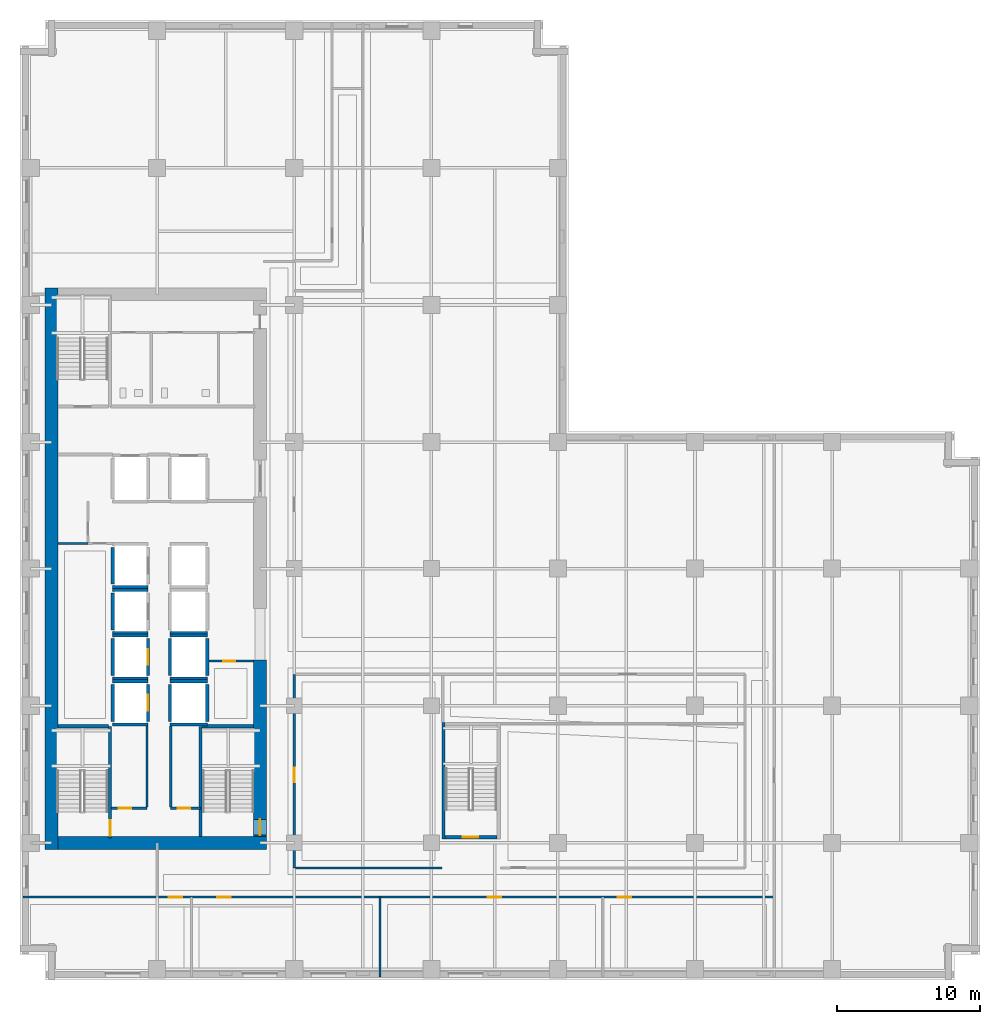
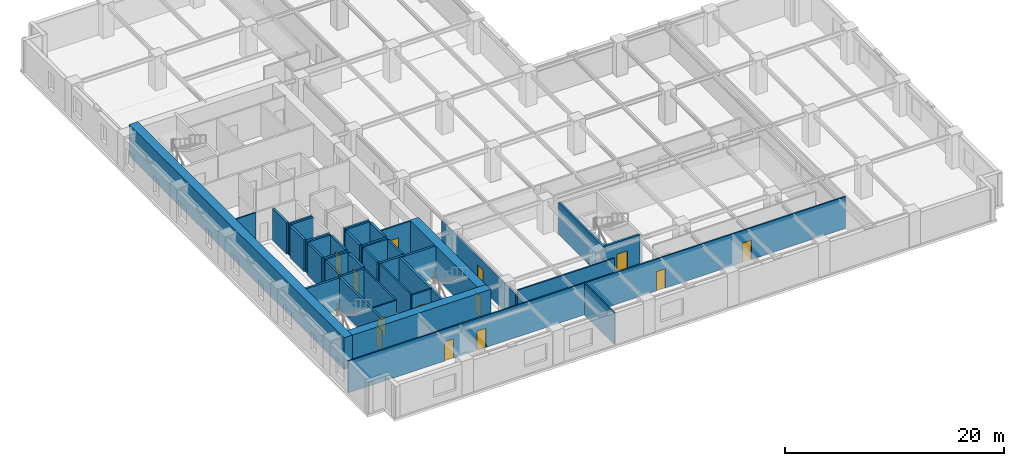
# One storey, part 4 of 13: 41 walls, 13 doors, 13 openings.
"""IFC4 building model written with IfcOpenShell, lengths in metres."""

from ifc_helpers import new_model, si_unit, direction, frame, frame_2d, origin, place, context, subcontext, project, spatial, rectangle, extrude, material, layer, layer_set, type_object, element, fill, save


model = new_model("IFC4")

# Units and contexts
model_context = context("Model", 3, precision=1e-05, world=origin(), true_north=direction((0.0, 1.0)))
body_context = subcontext(model_context, "Body", "Model", "MODEL_VIEW")
ifc_project = project(units=[si_unit("LENGTHUNIT", "METRE"), si_unit("AREAUNIT", "SQUARE_METRE"), si_unit("VOLUMEUNIT", "CUBIC_METRE"), si_unit("PLANEANGLEUNIT", "RADIAN"), si_unit("MASSUNIT", "GRAM", prefix="KILO")], contexts=[model_context])

# Site, building, storey
site_placement = place(None, origin())
site = spatial("IfcSite", under=ifc_project, at=site_placement, CompositionType="ELEMENT")
building_placement = place(site_placement, origin())
building = spatial("IfcBuilding", under=site, at=building_placement, Name="Norrvale University Quadrangle", CompositionType="ELEMENT")
storey_placement = place(building_placement, frame((0.0, 0.0, 35.60009765625)))
storey = spatial("IfcBuildingStorey", under=building, at=storey_placement, Name="L08", CompositionType="ELEMENT", Elevation=35.60009765625)

# Walls
ifc_material_1 = material(Name="Concrete C80/95", Category="concrete")
ifc_layer_1 = layer(ifc_material_1, 0.89990234375, Name="Concrete C80/95")
ifc_layer_set_1 = layer_set([ifc_layer_1], Name="Concrete C80/95")
wall_type_1 = type_object("IfcWallType", Name="Wall Core 900", PredefinedType="SHEAR", material=ifc_layer_set_1)
wall_1_placement = place(storey_placement, frame((2.64990234375, 9.60009765625, 0.0), z_axis=(0.0, 0.0, 1.0), x_axis=(1.0, 0.0, 0.0)))
element("IfcWall", 1, at=wall_1_placement, inside=storey, type_object=wall_type_1, Name="Tower Core Shear Wall L08-S", PredefinedType="SHEAR", context=body_context, shape_type="SweptSolid", body=[
    extrude(rectangle(XDim=14.60009765625, YDim=0.89990234375, at=frame_2d((7.300048828125, 0.0))), origin(), (0.0, 0.0, 1.0), 3.539794921875),
])
wall_2_placement = place(storey_placement, frame((2.199951171875, 9.14990234375, 0.0), z_axis=(0.0, 0.0, 1.0), x_axis=(0.0, 1.0, 0.0)))
element("IfcWall", 2, at=wall_2_placement, inside=storey, type_object=wall_type_1, Name="Tower Core Shear Wall L08-W", PredefinedType="SHEAR", context=body_context, shape_type="SweptSolid", body=[
    extrude(rectangle(XDim=39.300048828125, YDim=0.89990234375, at=frame_2d((19.64990234375, 0.0))), origin(), (0.0, 0.0, 1.0), 3.539794921875),
])

# Wall, opening, door
wall_3_placement = place(storey_placement, frame((16.800048828125, 10.050048828125, 0.0), z_axis=(0.0, 0.0, 1.0), x_axis=(0.0, 1.0, 0.0)))
wall_3 = element("IfcWall", 3, at=wall_3_placement, inside=storey, type_object=wall_type_1, Name="Tower Core Shear Wall L08-E1", PredefinedType="SHEAR", context=body_context, shape_type="SweptSolid", body=[
    extrude(rectangle(XDim=12.349853515625, YDim=0.89990234375, at=frame_2d((6.1748046875, 0.0))), origin(), (0.0, 0.0, 1.0), 3.539794921875),
])
opening_1_placement = place(wall_3_placement, frame((0.090087890625, 0.0, 0.0)))
opening_1 = element("IfcOpeningElement", 4, at=opening_1_placement, cuts=wall_3, Name="Opening D02", PredefinedType="OPENING", context=body_context, shape_type="SweptSolid", body=[
    extrude(rectangle(XDim=1.10009765625, YDim=2.199951171875, at=frame_2d((0.550048828125, 1.10009765625))), frame((0.0, 0.4619140625, 0.0), z_axis=(0.0, -1.0, 0.0), x_axis=(1.0, 0.0, 0.0)), (0.0, 0.0, 1.0), 0.923828125),
])
ifc_material_2 = material(Name="Hollow Steel 350W Fire Door", Category="steel")
door_type_1 = type_object("IfcDoorType", Name="Door Stair Exit 1100x2200", OperationType="NOTDEFINED", PredefinedType="DOOR", material=ifc_material_2)
door_1_placement = place(opening_1_placement, origin())
door_1 = element("IfcDoor", 5, at=door_1_placement, inside=storey, type_object=door_type_1, Name="Door Stair Exit 1100x2200 DR-L08-ST03", OperationType="SINGLE_SWING_LEFT", OverallHeight=2.199951171875, OverallWidth=1.10009765625, PredefinedType="DOOR", context=body_context, shape_type="SweptSolid", body=[
    extrude(rectangle(XDim=1.10009765625, YDim=2.199951171875, at=frame_2d((0.550048828125, 1.10009765625))), frame((0.0, 0.02490234375, 0.0), z_axis=(0.0, -1.0, 0.0), x_axis=(1.0, 0.0, 0.0)), (0.0, 0.0, 1.0), 0.050048828125),
])
fill(opening_1, door_1)

# Wall
ifc_material_3 = material(Name="Standard Academic Gypsum Partition")
ifc_layer_2 = layer(ifc_material_3, 0.125, Name="Standard Academic Gypsum Partition")
ifc_layer_set_2 = layer_set([ifc_layer_2], Name="Standard Academic Gypsum Partition")
wall_type_2 = type_object("IfcWallType", Name="Wall Gypsum Academic 125", PredefinedType="PARTITIONING", material=ifc_layer_set_2)
wall_4_placement = place(storey_placement, frame((25.199951171875, 0.219970703125, 0.0), z_axis=(0.0, 0.0, 1.0), x_axis=(0.0, 1.0, 0.0)))
element("IfcWall", 6, at=wall_4_placement, inside=storey, type_object=wall_type_2, Name="Interior Partition WL-L08-SP02", PredefinedType="PARTITIONING", context=body_context, shape_type="SweptSolid", body=[
    extrude(rectangle(XDim=5.580078125, YDim=0.125, at=frame_2d((2.7900390625, 0.0))), origin(), (0.0, 0.0, 1.0), 3.539794921875),
])

# Wall, opening, door
ifc_material_4 = material(Name="Fire-Rated Gypsum Stud Partition")
ifc_layer_3 = layer(ifc_material_4, 0.14990234375, Name="Fire-Rated Gypsum Stud Partition")
ifc_layer_set_3 = layer_set([ifc_layer_3], Name="Fire-Rated Gypsum Stud Partition")
wall_type_3 = type_object("IfcWallType", Name="Wall Gypsum Corridor 150", PredefinedType="PARTITIONING", material=ifc_layer_set_3)
wall_5_placement = place(storey_placement, frame((6.419921875, 12.02001953125, 0.0), z_axis=(0.0, 0.0, 1.0), x_axis=(1.0, 0.0, 0.0)))
wall_5 = element("IfcWall", 7, at=wall_5_placement, inside=storey, type_object=wall_type_3, Name="Interior Partition WL-L08-SC-NL", PredefinedType="PARTITIONING", context=body_context, shape_type="SweptSolid", body=[
    extrude(rectangle(XDim=2.47998046875, YDim=0.14990234375, at=frame_2d((1.239990234375, 0.0))), origin(), (0.0, 0.0, 1.0), 3.539794921875),
])
opening_2_placement = place(wall_5_placement, frame((0.5, 0.0, 0.0)))
opening_2 = element("IfcOpeningElement", 8, at=opening_2_placement, cuts=wall_5, Name="Opening D10", PredefinedType="OPENING", context=body_context, shape_type="SweptSolid", body=[
    extrude(rectangle(XDim=0.85009765625, YDim=2.10009765625, at=frame_2d((0.425048828125, 1.050048828125))), frame((0.0, 0.0869140625, 0.0), z_axis=(0.0, -1.0, 0.0), x_axis=(1.0, 0.0, 0.0)), (0.0, 0.0, 1.0), 0.173828125),
])
ifc_material_5 = material(Name="Hollow Steel 350W Riser Fire Door", Category="steel")
door_type_2 = type_object("IfcDoorType", Name="Door Riser 850x2100", OperationType="NOTDEFINED", PredefinedType="DOOR", material=ifc_material_5)
door_2_placement = place(opening_2_placement, origin())
door_2 = element("IfcDoor", 9, at=door_2_placement, inside=storey, type_object=door_type_2, Name="Door Riser 850x2100 DR-L08-ELEC", OperationType="SINGLE_SWING_LEFT", OverallHeight=2.10009765625, OverallWidth=0.85009765625, PredefinedType="DOOR", context=body_context, shape_type="SweptSolid", body=[
    extrude(rectangle(XDim=0.85009765625, YDim=2.10009765625, at=frame_2d((0.425048828125, 1.050048828125))), frame((0.0, 0.02490234375, 0.0), z_axis=(0.0, -1.0, 0.0), x_axis=(1.0, 0.0, 0.0)), (0.0, 0.0, 1.0), 0.050048828125),
])
fill(opening_2, door_2)

wall_6_placement = place(storey_placement, frame((10.550048828125, 12.02001953125, 0.0), z_axis=(0.0, 0.0, 1.0), x_axis=(1.0, 0.0, 0.0)))
wall_6 = element("IfcWall", 10, at=wall_6_placement, inside=storey, type_object=wall_type_3, Name="Interior Partition WL-L08-SC-NR", PredefinedType="PARTITIONING", context=body_context, shape_type="SweptSolid", body=[
    extrude(rectangle(XDim=2.079833984375, YDim=0.14990234375, at=frame_2d((1.0400390625, 0.0))), origin(), (0.0, 0.0, 1.0), 3.539794921875),
])
opening_3_placement = place(wall_6_placement, frame((0.5, 0.0, 0.0)))
opening_3 = element("IfcOpeningElement", 11, at=opening_3_placement, cuts=wall_6, Name="Opening D10", PredefinedType="OPENING", context=body_context, shape_type="SweptSolid", body=[
    extrude(rectangle(XDim=0.85009765625, YDim=2.10009765625, at=frame_2d((0.425048828125, 1.050048828125))), frame((0.0, 0.0869140625, 0.0), z_axis=(0.0, -1.0, 0.0), x_axis=(1.0, 0.0, 0.0)), (0.0, 0.0, 1.0), 0.173828125),
])
door_3_placement = place(opening_3_placement, origin())
door_3 = element("IfcDoor", 12, at=door_3_placement, inside=storey, type_object=door_type_2, Name="Door Riser 850x2100 DR-L08-IDF", OperationType="SINGLE_SWING_RIGHT", OverallHeight=2.10009765625, OverallWidth=0.85009765625, PredefinedType="DOOR", context=body_context, shape_type="SweptSolid", body=[
    extrude(rectangle(XDim=0.85009765625, YDim=2.10009765625, at=frame_2d((0.425048828125, 1.050048828125))), frame((0.0, 0.02490234375, 0.0), z_axis=(0.0, -1.0, 0.0), x_axis=(1.0, 0.0, 0.0)), (0.0, 0.0, 1.0), 0.050048828125),
])
fill(opening_3, door_3)

# Walls
for number, where, z_axis, x_axis, name in (
    (13, (8.89990234375, 12.094970703125, 0.0), (0.0, 0.0, 1.0), (0.0, 1.0, 0.0), "Interior Partition WL-L08-SC-WL"),
    (14, (10.550048828125, 12.094970703125, 0.0), (0.0, 0.0, 1.0), (0.0, 1.0, 0.0), "Interior Partition WL-L08-SC-WR"),
):
    element("IfcWall", number, at=place(storey_placement, frame(where, z_axis=z_axis, x_axis=x_axis)), inside=storey, type_object=wall_type_3, Name=name, PredefinedType="PARTITIONING", context=body_context, shape_type="SweptSolid", body=[
        extrude(rectangle(XDim=5.679931640625, YDim=0.14990234375, at=frame_2d((2.83984375, 0.0))), origin(), (0.0, 0.0, 1.0), 3.539794921875),
    ])

# Wall, opening, door
wall_7_placement = place(storey_placement, frame((13.22509765625, 22.320068359375, 0.0), z_axis=(0.0, 0.0, 1.0), x_axis=(1.0, 0.0, 0.0)))
wall_7 = element("IfcWall", 15, at=wall_7_placement, inside=storey, type_object=wall_type_3, Name="Interior Partition WL-L08-JAN-N", PredefinedType="PARTITIONING", context=body_context, shape_type="SweptSolid", body=[
    extrude(rectangle(XDim=3.119873046875, YDim=0.14990234375, at=frame_2d((1.56005859375, 0.0))), origin(), (0.0, 0.0, 1.0), 3.539794921875),
])
opening_4_placement = place(wall_7_placement, frame((1.0, 0.0, 0.0)))
opening_4 = element("IfcOpeningElement", 16, at=opening_4_placement, cuts=wall_7, Name="Opening D10", PredefinedType="OPENING", context=body_context, shape_type="SweptSolid", body=[
    extrude(rectangle(XDim=0.85009765625, YDim=2.10009765625, at=frame_2d((0.425048828125, 1.050048828125))), frame((0.0, 0.0869140625, 0.0), z_axis=(0.0, -1.0, 0.0), x_axis=(1.0, 0.0, 0.0)), (0.0, 0.0, 1.0), 0.173828125),
])
door_4_placement = place(opening_4_placement, origin())
door_4 = element("IfcDoor", 17, at=door_4_placement, inside=storey, type_object=door_type_2, Name="Door Riser 850x2100 DR-L08-JAN", OperationType="SINGLE_SWING_LEFT", OverallHeight=2.10009765625, OverallWidth=0.85009765625, PredefinedType="DOOR", context=body_context, shape_type="SweptSolid", body=[
    extrude(rectangle(XDim=0.85009765625, YDim=2.10009765625, at=frame_2d((0.425048828125, 1.050048828125))), frame((0.0, 0.02490234375, 0.0), z_axis=(0.0, -1.0, 0.0), x_axis=(1.0, 0.0, 0.0)), (0.0, 0.0, 1.0), 0.050048828125),
])
fill(opening_4, door_4)

# Wall
wall_8_placement = place(storey_placement, frame((2.64990234375, 30.550048828125, 0.0), z_axis=(0.0, 0.0, 1.0), x_axis=(1.0, 0.0, 0.0)))
element("IfcWall", 18, at=wall_8_placement, inside=storey, type_object=wall_type_3, Name="Interior Partition WL-L08-WST-N2", PredefinedType="PARTITIONING", context=body_context, shape_type="SweptSolid", body=[
    extrude(rectangle(XDim=2.110107421875, YDim=0.14990234375, at=frame_2d((1.05517578125, 0.0))), origin(), (0.0, 0.0, 1.0), 3.539794921875),
])

# Wall, openings, doors
wall_9_placement = place(storey_placement, frame((0.219970703125, 5.800048828125, 0.0), z_axis=(0.0, 0.0, 1.0), x_axis=(1.0, 0.0, 0.0)))
wall_9 = element("IfcWall", 19, at=wall_9_placement, inside=storey, type_object=wall_type_3, Name="Interior Partition WL-L08-SCW", PredefinedType="PARTITIONING", context=body_context, shape_type="SweptSolid", body=[
    extrude(rectangle(XDim=52.580078125, YDim=0.14990234375, at=frame_2d((26.2900390625, 0.0))), origin(), (0.0, 0.0, 1.0), 3.539794921875),
])
opening_5_placement = place(wall_9_placement, frame((10.179931640625, 0.0, 0.0)))
opening_5 = element("IfcOpeningElement", 20, at=opening_5_placement, cuts=wall_9, Name="Opening D07", PredefinedType="OPENING", context=body_context, shape_type="SweptSolid", body=[
    extrude(rectangle(XDim=0.949951171875, YDim=2.14990234375, at=frame_2d((0.47509765625, 1.074951171875))), frame((0.0, 0.0869140625, 0.0), z_axis=(0.0, -1.0, 0.0), x_axis=(1.0, 0.0, 0.0)), (0.0, 0.0, 1.0), 0.173828125),
])
opening_6_placement = place(wall_9_placement, frame((13.580078125, 0.0, 0.0)))
opening_6 = element("IfcOpeningElement", 21, at=opening_6_placement, cuts=wall_9, Name="Opening D07", PredefinedType="OPENING", context=body_context, shape_type="SweptSolid", body=[
    extrude(rectangle(XDim=0.949951171875, YDim=2.14990234375, at=frame_2d((0.47509765625, 1.074951171875))), frame((0.0, 0.0869140625, 0.0), z_axis=(0.0, -1.0, 0.0), x_axis=(1.0, 0.0, 0.0)), (0.0, 0.0, 1.0), 0.173828125),
])
opening_7_placement = place(wall_9_placement, frame((32.530029296875, 0.0, 0.0)))
opening_7 = element("IfcOpeningElement", 22, at=opening_7_placement, cuts=wall_9, Name="Opening D07", PredefinedType="OPENING", context=body_context, shape_type="SweptSolid", body=[
    extrude(rectangle(XDim=0.949951171875, YDim=2.14990234375, at=frame_2d((0.47509765625, 1.074951171875))), frame((0.0, 0.0869140625, 0.0), z_axis=(0.0, -1.0, 0.0), x_axis=(1.0, 0.0, 0.0)), (0.0, 0.0, 1.0), 0.173828125),
])
opening_8_placement = place(wall_9_placement, frame((41.6298828125, 0.0, 0.0)))
opening_8 = element("IfcOpeningElement", 23, at=opening_8_placement, cuts=wall_9, Name="Opening D07", PredefinedType="OPENING", context=body_context, shape_type="SweptSolid", body=[
    extrude(rectangle(XDim=0.949951171875, YDim=2.14990234375, at=frame_2d((0.47509765625, 1.074951171875))), frame((0.0, 0.0869140625, 0.0), z_axis=(0.0, -1.0, 0.0), x_axis=(1.0, 0.0, 0.0)), (0.0, 0.0, 1.0), 0.173828125),
])
ifc_material_6 = material(Name="Solid-Core Maple Door", Category="wood")
door_type_3 = type_object("IfcDoorType", Name="Door Office 950x2150", OperationType="NOTDEFINED", PredefinedType="DOOR", material=ifc_material_6)
door_5_placement = place(opening_5_placement, origin())
door_5 = element("IfcDoor", 24, at=door_5_placement, inside=storey, type_object=door_type_3, Name="Door Office 950x2150 DR-L08-S01", OperationType="SINGLE_SWING_LEFT", OverallHeight=2.14990234375, OverallWidth=0.949951171875, PredefinedType="DOOR", context=body_context, shape_type="SweptSolid", body=[
    extrude(rectangle(XDim=0.949951171875, YDim=2.14990234375, at=frame_2d((0.47509765625, 1.074951171875))), frame((0.0, 0.02490234375, 0.0), z_axis=(0.0, -1.0, 0.0), x_axis=(1.0, 0.0, 0.0)), (0.0, 0.0, 1.0), 0.050048828125),
])
fill(opening_5, door_5)
door_6_placement = place(opening_6_placement, origin())
door_6 = element("IfcDoor", 25, at=door_6_placement, inside=storey, type_object=door_type_3, Name="Door Office 950x2150 DR-L08-S02", OperationType="SINGLE_SWING_RIGHT", OverallHeight=2.14990234375, OverallWidth=0.949951171875, PredefinedType="DOOR", context=body_context, shape_type="SweptSolid", body=[
    extrude(rectangle(XDim=0.949951171875, YDim=2.14990234375, at=frame_2d((0.47509765625, 1.074951171875))), frame((0.0, 0.02490234375, 0.0), z_axis=(0.0, -1.0, 0.0), x_axis=(1.0, 0.0, 0.0)), (0.0, 0.0, 1.0), 0.050048828125),
])
fill(opening_6, door_6)
door_7_placement = place(opening_7_placement, origin())
door_7 = element("IfcDoor", 26, at=door_7_placement, inside=storey, type_object=door_type_3, Name="Door Office 950x2150 DR-L08-S03", OperationType="SINGLE_SWING_LEFT", OverallHeight=2.14990234375, OverallWidth=0.949951171875, PredefinedType="DOOR", context=body_context, shape_type="SweptSolid", body=[
    extrude(rectangle(XDim=0.949951171875, YDim=2.14990234375, at=frame_2d((0.47509765625, 1.074951171875))), frame((0.0, 0.02490234375, 0.0), z_axis=(0.0, -1.0, 0.0), x_axis=(1.0, 0.0, 0.0)), (0.0, 0.0, 1.0), 0.050048828125),
])
fill(opening_7, door_7)
door_8_placement = place(opening_8_placement, origin())
door_8 = element("IfcDoor", 27, at=door_8_placement, inside=storey, type_object=door_type_3, Name="Door Office 950x2150 DR-L08-S04", OperationType="SINGLE_SWING_RIGHT", OverallHeight=2.14990234375, OverallWidth=0.949951171875, PredefinedType="DOOR", context=body_context, shape_type="SweptSolid", body=[
    extrude(rectangle(XDim=0.949951171875, YDim=2.14990234375, at=frame_2d((0.47509765625, 1.074951171875))), frame((0.0, 0.02490234375, 0.0), z_axis=(0.0, -1.0, 0.0), x_axis=(1.0, 0.0, 0.0)), (0.0, 0.0, 1.0), 0.050048828125),
])
fill(opening_8, door_8)

# Wall, opening, door
wall_10_placement = place(storey_placement, frame((19.199951171875, 7.85009765625, 0.0), z_axis=(0.0, 0.0, 1.0), x_axis=(0.0, 1.0, 0.0)))
wall_10 = element("IfcWall", 28, at=wall_10_placement, inside=storey, type_object=wall_type_3, Name="Interior Partition WL-L08-ISLW", PredefinedType="PARTITIONING", context=body_context, shape_type="SweptSolid", body=[
    extrude(rectangle(XDim=13.5498046875, YDim=0.14990234375, at=frame_2d((6.77490234375, 0.0))), origin(), (0.0, 0.0, 1.0), 3.122802734375),
])
opening_9_placement = place(wall_10_placement, frame((6.0, 0.0, 0.0)))
opening_9 = element("IfcOpeningElement", 29, at=opening_9_placement, cuts=wall_10, Name="Opening D04", PredefinedType="OPENING", context=body_context, shape_type="SweptSolid", body=[
    extrude(rectangle(XDim=1.0, YDim=2.199951171875, at=frame_2d((0.5, 1.10009765625))), frame((0.0, 0.0869140625, 0.0), z_axis=(0.0, -1.0, 0.0), x_axis=(1.0, 0.0, 0.0)), (0.0, 0.0, 1.0), 0.173828125),
])
ifc_material_7 = material(Name="Solid-Core Oak Fire Door", Category="wood")
door_type_4 = type_object("IfcDoorType", Name="Door Corridor 1000x2200", OperationType="NOTDEFINED", PredefinedType="DOOR", material=ifc_material_7)
door_9_placement = place(opening_9_placement, origin())
door_9 = element("IfcDoor", 30, at=door_9_placement, inside=storey, type_object=door_type_4, Name="Door Corridor 1000x2200 DR-L08-IW1", OperationType="SINGLE_SWING_LEFT", OverallHeight=2.199951171875, OverallWidth=1.0, PredefinedType="DOOR", context=body_context, shape_type="SweptSolid", body=[
    extrude(rectangle(XDim=1.0, YDim=2.199951171875, at=frame_2d((0.5, 1.10009765625))), frame((0.0, 0.02490234375, 0.0), z_axis=(0.0, -1.0, 0.0), x_axis=(1.0, 0.0, 0.0)), (0.0, 0.0, 1.0), 0.050048828125),
])
fill(opening_9, door_9)

# Wall
wall_11_placement = place(storey_placement, frame((19.280029296875, 7.85009765625, 0.0), z_axis=(0.0, 0.0, 1.0), x_axis=(1.0, 0.0, 0.0)))
element("IfcWall", 31, at=wall_11_placement, inside=storey, type_object=wall_type_3, Name="Interior Partition WL-L08-ISLS1", PredefinedType="PARTITIONING", context=body_context, shape_type="SweptSolid", body=[
    extrude(rectangle(XDim=10.244873046875, YDim=0.14990234375, at=frame_2d((5.12255859375, 0.0))), origin(), (0.0, 0.0, 1.0), 3.539794921875),
])

# Wall, opening, door
ifc_material_8 = material(Name="Concrete Blockwork 20 MPa Fire Shaft", Category="masonry")
ifc_layer_4 = layer(ifc_material_8, 0.219970703125, Name="Concrete Blockwork 20 MPa Fire Shaft")
ifc_layer_set_4 = layer_set([ifc_layer_4], Name="Concrete Blockwork 20 MPa Fire Shaft")
wall_type_4 = type_object("IfcWallType", Name="Wall Shaft 220", PredefinedType="SOLIDWALL", material=ifc_layer_set_4)
wall_12_placement = place(storey_placement, frame((6.31005859375, 9.949951171875, 0.0), z_axis=(0.0, 0.0, 1.0), x_axis=(0.0, 1.0, 0.0)))
wall_12 = element("IfcWall", 32, at=wall_12_placement, inside=storey, type_object=wall_type_4, Name="Stair ST-01 East Shaft Wall L08", PredefinedType="SOLIDWALL", context=body_context, shape_type="SweptSolid", body=[
    extrude(rectangle(XDim=7.81005859375, YDim=0.219970703125, at=frame_2d((3.905029296875, 0.0))), origin(), (0.0, 0.0, 1.0), 3.539794921875),
])
opening_10_placement = place(wall_12_placement, frame((0.139892578125, 0.0, 0.0)))
opening_10 = element("IfcOpeningElement", 33, at=opening_10_placement, cuts=wall_12, Name="Opening D02", PredefinedType="OPENING", context=body_context, shape_type="SweptSolid", body=[
    extrude(rectangle(XDim=1.10009765625, YDim=2.199951171875, at=frame_2d((0.550048828125, 1.10009765625))), frame((0.0, 0.1220703125, 0.0), z_axis=(0.0, -1.0, 0.0), x_axis=(1.0, 0.0, 0.0)), (0.0, 0.0, 1.0), 0.243896484375),
])
door_10_placement = place(opening_10_placement, origin())
door_10 = element("IfcDoor", 34, at=door_10_placement, inside=storey, type_object=door_type_1, Name="Door Stair Exit 1100x2200 DR-L08-ST01", OperationType="SINGLE_SWING_LEFT", OverallHeight=2.199951171875, OverallWidth=1.10009765625, PredefinedType="DOOR", context=body_context, shape_type="SweptSolid", body=[
    extrude(rectangle(XDim=1.10009765625, YDim=2.199951171875, at=frame_2d((0.550048828125, 1.10009765625))), frame((0.0, 0.02490234375, 0.0), z_axis=(0.0, -1.0, 0.0), x_axis=(1.0, 0.0, 0.0)), (0.0, 0.0, 1.0), 0.050048828125),
])
fill(opening_10, door_10)

# Walls
wall_13_placement = place(storey_placement, frame((2.64990234375, 17.760009765625, 0.0), z_axis=(0.0, 0.0, 1.0), x_axis=(1.0, 0.0, 0.0)))
element("IfcWall", 35, at=wall_13_placement, inside=storey, type_object=wall_type_4, Name="Stair ST-01 North Shaft Wall L08", PredefinedType="SOLIDWALL", context=body_context, shape_type="SweptSolid", body=[
    extrude(rectangle(XDim=3.550048828125, YDim=0.219970703125, at=frame_2d((1.77490234375, 0.0))), origin(), (0.0, 0.0, 1.0), 3.539794921875),
])
wall_14_placement = place(storey_placement, frame((12.639892578125, 10.050048828125, 0.0), z_axis=(0.0, 0.0, 1.0), x_axis=(0.0, 1.0, 0.0)))
element("IfcWall", 36, at=wall_14_placement, inside=storey, type_object=wall_type_4, Name="Stair ST-03 West Shaft Wall L08", PredefinedType="SOLIDWALL", context=body_context, shape_type="SweptSolid", body=[
    extrude(rectangle(XDim=7.7099609375, YDim=0.219970703125, at=frame_2d((3.85498046875, 0.0))), origin(), (0.0, 0.0, 1.0), 3.539794921875),
])
wall_15_placement = place(storey_placement, frame((12.75, 17.760009765625, 0.0), z_axis=(0.0, 0.0, 1.0), x_axis=(1.0, 0.0, 0.0)))
element("IfcWall", 37, at=wall_15_placement, inside=storey, type_object=wall_type_4, Name="Stair ST-03 North Shaft Wall L08", PredefinedType="SOLIDWALL", context=body_context, shape_type="SweptSolid", body=[
    extrude(rectangle(XDim=3.60009765625, YDim=0.219970703125, at=frame_2d((1.800048828125, 0.0))), origin(), (0.0, 0.0, 1.0), 3.539794921875),
])

# Wall, opening, door
wall_16_placement = place(storey_placement, frame((29.75, 9.989990234375, 0.0), z_axis=(0.0, 0.0, 1.0), x_axis=(1.0, 0.0, 0.0)))
wall_16 = element("IfcWall", 38, at=wall_16_placement, inside=storey, type_object=wall_type_4, Name="Stair ST-04 South Shaft Wall L08", PredefinedType="SOLIDWALL", context=body_context, shape_type="SweptSolid", body=[
    extrude(rectangle(XDim=3.64990234375, YDim=0.219970703125, at=frame_2d((1.824951171875, 0.0))), origin(), (0.0, 0.0, 1.0), 3.539794921875),
])
opening_11_placement = place(wall_16_placement, frame((1.239990234375, 0.0, 0.0)))
opening_11 = element("IfcOpeningElement", 39, at=opening_11_placement, cuts=wall_16, Name="Opening D02", PredefinedType="OPENING", context=body_context, shape_type="SweptSolid", body=[
    extrude(rectangle(XDim=1.10009765625, YDim=2.199951171875, at=frame_2d((0.550048828125, 1.10009765625))), frame((0.0, 0.1220703125, 0.0), z_axis=(0.0, -1.0, 0.0), x_axis=(1.0, 0.0, 0.0)), (0.0, 0.0, 1.0), 0.243896484375),
])
door_11_placement = place(opening_11_placement, origin())
door_11 = element("IfcDoor", 40, at=door_11_placement, inside=storey, type_object=door_type_1, Name="Door Stair Exit 1100x2200 DR-L08-ST04", OperationType="SINGLE_SWING_LEFT", OverallHeight=2.199951171875, OverallWidth=1.10009765625, PredefinedType="DOOR", context=body_context, shape_type="SweptSolid", body=[
    extrude(rectangle(XDim=1.10009765625, YDim=2.199951171875, at=frame_2d((0.550048828125, 1.10009765625))), frame((0.0, 0.02490234375, 0.0), z_axis=(0.0, -1.0, 0.0), x_axis=(1.0, 0.0, 0.0)), (0.0, 0.0, 1.0), 0.050048828125),
])
fill(opening_11, door_11)

# Walls
wall_17_placement = place(storey_placement, frame((29.639892578125, 9.8798828125, 0.0), z_axis=(0.0, 0.0, 1.0), x_axis=(0.0, 1.0, 0.0)))
element("IfcWall", 41, at=wall_17_placement, inside=storey, type_object=wall_type_4, Name="Stair ST-04 West Shaft Wall L08", PredefinedType="SOLIDWALL", context=body_context, shape_type="SweptSolid", body=[
    extrude(rectangle(XDim=8.14013671875, YDim=0.219970703125, at=frame_2d((4.070068359375, 0.0))), origin(), (0.0, 0.0, 1.0), 3.539794921875),
])
wall_18_placement = place(storey_placement, frame((6.489990234375, 18.110107421875, 0.0), z_axis=(0.0, 0.0, 1.0), x_axis=(0.0, 1.0, 0.0)))
element("IfcWall", 42, at=wall_18_placement, inside=storey, type_object=wall_type_4, Name="Hoistway PL-01 West Wall L08", PredefinedType="SOLIDWALL", context=body_context, shape_type="SweptSolid", body=[
    extrude(rectangle(XDim=2.579833984375, YDim=0.219970703125, at=frame_2d((1.2900390625, 0.0))), origin(), (0.0, 0.0, 1.0), 3.539794921875),
])

# Wall, opening, door
wall_19_placement = place(storey_placement, frame((8.9599609375, 18.110107421875, 0.0), z_axis=(0.0, 0.0, 1.0), x_axis=(0.0, 1.0, 0.0)))
wall_19 = element("IfcWall", 43, at=wall_19_placement, inside=storey, type_object=wall_type_4, Name="Hoistway PL-01 East Wall L08", PredefinedType="SOLIDWALL", context=body_context, shape_type="SweptSolid", body=[
    extrude(rectangle(XDim=2.579833984375, YDim=0.219970703125, at=frame_2d((1.2900390625, 0.0))), origin(), (0.0, 0.0, 1.0), 3.539794921875),
])
opening_12_placement = place(wall_19_placement, frame((0.739990234375, 0.0, 0.0)))
opening_12 = element("IfcOpeningElement", 44, at=opening_12_placement, cuts=wall_19, Name="Opening LD1", PredefinedType="OPENING", context=body_context, shape_type="SweptSolid", body=[
    extrude(rectangle(XDim=1.10009765625, YDim=2.199951171875, at=frame_2d((0.550048828125, 1.10009765625))), frame((0.0, 0.1220703125, 0.0), z_axis=(0.0, -1.0, 0.0), x_axis=(1.0, 0.0, 0.0)), (0.0, 0.0, 1.0), 0.243896484375),
])
ifc_material_9 = material(Name="Stainless Steel 316L Lift Landing Door", Category="steel")
door_type_5 = type_object("IfcDoorType", Name="Door Lift Landing 1100x2200", OperationType="DOUBLE_DOOR_SLIDING", PredefinedType="DOOR", material=ifc_material_9)
door_12_placement = place(opening_12_placement, origin())
door_12 = element("IfcDoor", 45, at=door_12_placement, inside=storey, type_object=door_type_5, Name="Elevator Landing Door DR-L08-PL-01", OperationType="DOUBLE_DOOR_SLIDING", OverallHeight=2.199951171875, OverallWidth=1.10009765625, PredefinedType="DOOR", context=body_context, shape_type="SweptSolid", body=[
    extrude(rectangle(XDim=1.10009765625, YDim=2.199951171875, at=frame_2d((0.550048828125, 1.10009765625))), frame((0.0, 0.02490234375, 0.0), z_axis=(0.0, -1.0, 0.0), x_axis=(1.0, 0.0, 0.0)), (0.0, 0.0, 1.0), 0.050048828125),
])
fill(opening_12, door_12)

# Walls
for number, where, z_axis, x_axis, name in (
    (46, (6.489990234375, 17.889892578125, 0.0), (0.0, 0.0, 1.0), (1.0, 0.0, 0.0), "Hoistway PL-01 South Wall L08"),
    (47, (6.489990234375, 20.909912109375, 0.0), (0.0, 0.0, 1.0), (1.0, 0.0, 0.0), "Hoistway PL-01 North Wall L08"),
):
    element("IfcWall", number, at=place(storey_placement, frame(where, z_axis=z_axis, x_axis=x_axis)), inside=storey, type_object=wall_type_4, Name=name, PredefinedType="SOLIDWALL", context=body_context, shape_type="SweptSolid", body=[
        extrude(rectangle(XDim=2.469970703125, YDim=0.219970703125, at=frame_2d((1.23486328125, 0.0))), origin(), (0.0, 0.0, 1.0), 3.539794921875),
    ])
wall_20_placement = place(storey_placement, frame((6.489990234375, 21.31005859375, 0.0), z_axis=(0.0, 0.0, 1.0), x_axis=(0.0, 1.0, 0.0)))
element("IfcWall", 48, at=wall_20_placement, inside=storey, type_object=wall_type_4, Name="Hoistway PL-02 West Wall L08", PredefinedType="SOLIDWALL", context=body_context, shape_type="SweptSolid", body=[
    extrude(rectangle(XDim=2.579833984375, YDim=0.219970703125, at=frame_2d((1.2900390625, 0.0))), origin(), (0.0, 0.0, 1.0), 3.539794921875),
])

# Wall, opening, door
wall_21_placement = place(storey_placement, frame((8.9599609375, 21.31005859375, 0.0), z_axis=(0.0, 0.0, 1.0), x_axis=(0.0, 1.0, 0.0)))
wall_21 = element("IfcWall", 49, at=wall_21_placement, inside=storey, type_object=wall_type_4, Name="Hoistway PL-02 East Wall L08", PredefinedType="SOLIDWALL", context=body_context, shape_type="SweptSolid", body=[
    extrude(rectangle(XDim=2.579833984375, YDim=0.219970703125, at=frame_2d((1.2900390625, 0.0))), origin(), (0.0, 0.0, 1.0), 3.539794921875),
])
opening_13_placement = place(wall_21_placement, frame((0.739990234375, 0.0, 0.0)))
opening_13 = element("IfcOpeningElement", 50, at=opening_13_placement, cuts=wall_21, Name="Opening LD1", PredefinedType="OPENING", context=body_context, shape_type="SweptSolid", body=[
    extrude(rectangle(XDim=1.10009765625, YDim=2.199951171875, at=frame_2d((0.550048828125, 1.10009765625))), frame((0.0, 0.1220703125, 0.0), z_axis=(0.0, -1.0, 0.0), x_axis=(1.0, 0.0, 0.0)), (0.0, 0.0, 1.0), 0.243896484375),
])
door_13_placement = place(opening_13_placement, origin())
door_13 = element("IfcDoor", 51, at=door_13_placement, inside=storey, type_object=door_type_5, Name="Elevator Landing Door DR-L08-PL-02", OperationType="DOUBLE_DOOR_SLIDING", OverallHeight=2.199951171875, OverallWidth=1.10009765625, PredefinedType="DOOR", context=body_context, shape_type="SweptSolid", body=[
    extrude(rectangle(XDim=1.10009765625, YDim=2.199951171875, at=frame_2d((0.550048828125, 1.10009765625))), frame((0.0, 0.02490234375, 0.0), z_axis=(0.0, -1.0, 0.0), x_axis=(1.0, 0.0, 0.0)), (0.0, 0.0, 1.0), 0.050048828125),
])
fill(opening_13, door_13)

# Walls
for number, where, z_axis, x_axis, name in (
    (52, (6.489990234375, 21.090087890625, 0.0), (0.0, 0.0, 1.0), (1.0, 0.0, 0.0), "Hoistway PL-02 South Wall L08"),
    (53, (6.489990234375, 24.110107421875, 0.0), (0.0, 0.0, 1.0), (1.0, 0.0, 0.0), "Hoistway PL-02 North Wall L08"),
):
    element("IfcWall", number, at=place(storey_placement, frame(where, z_axis=z_axis, x_axis=x_axis)), inside=storey, type_object=wall_type_4, Name=name, PredefinedType="SOLIDWALL", context=body_context, shape_type="SweptSolid", body=[
        extrude(rectangle(XDim=2.469970703125, YDim=0.219970703125, at=frame_2d((1.23486328125, 0.0))), origin(), (0.0, 0.0, 1.0), 3.539794921875),
    ])
wall_22_placement = place(storey_placement, frame((6.489990234375, 24.510009765625, 0.0), z_axis=(0.0, 0.0, 1.0), x_axis=(0.0, 1.0, 0.0)))
element("IfcWall", 54, at=wall_22_placement, inside=storey, type_object=wall_type_4, Name="Hoistway PL-03 West Wall L08", PredefinedType="SOLIDWALL", context=body_context, shape_type="SweptSolid", body=[
    extrude(rectangle(XDim=2.580078125, YDim=0.219970703125, at=frame_2d((1.2900390625, 0.0))), origin(), (0.0, 0.0, 1.0), 3.539794921875),
])
for number, where, z_axis, x_axis, name in (
    (55, (6.489990234375, 24.2900390625, 0.0), (0.0, 0.0, 1.0), (1.0, 0.0, 0.0), "Hoistway PL-03 South Wall L08"),
    (56, (6.489990234375, 27.31005859375, 0.0), (0.0, 0.0, 1.0), (1.0, 0.0, 0.0), "Hoistway PL-03 North Wall L08"),
):
    element("IfcWall", number, at=place(storey_placement, frame(where, z_axis=z_axis, x_axis=x_axis)), inside=storey, type_object=wall_type_4, Name=name, PredefinedType="SOLIDWALL", context=body_context, shape_type="SweptSolid", body=[
        extrude(rectangle(XDim=2.469970703125, YDim=0.219970703125, at=frame_2d((1.23486328125, 0.0))), origin(), (0.0, 0.0, 1.0), 3.539794921875),
    ])
wall_23_placement = place(storey_placement, frame((6.489990234375, 27.7099609375, 0.0), z_axis=(0.0, 0.0, 1.0), x_axis=(0.0, 1.0, 0.0)))
element("IfcWall", 57, at=wall_23_placement, inside=storey, type_object=wall_type_4, Name="Hoistway PL-04 West Wall L08", PredefinedType="SOLIDWALL", context=body_context, shape_type="SweptSolid", body=[
    extrude(rectangle(XDim=2.580078125, YDim=0.219970703125, at=frame_2d((1.2900390625, 0.0))), origin(), (0.0, 0.0, 1.0), 3.539794921875),
])
wall_24_placement = place(storey_placement, frame((6.489990234375, 27.489990234375, 0.0), z_axis=(0.0, 0.0, 1.0), x_axis=(1.0, 0.0, 0.0)))
element("IfcWall", 58, at=wall_24_placement, inside=storey, type_object=wall_type_4, Name="Hoistway PL-04 South Wall L08", PredefinedType="SOLIDWALL", context=body_context, shape_type="SweptSolid", body=[
    extrude(rectangle(XDim=2.469970703125, YDim=0.219970703125, at=frame_2d((1.23486328125, 0.0))), origin(), (0.0, 0.0, 1.0), 3.539794921875),
])
for number, where, z_axis, x_axis, name in (
    (59, (10.489990234375, 18.110107421875, 0.0), (0.0, 0.0, 1.0), (0.0, 1.0, 0.0), "Hoistway PL-05 West Wall L08"),
    (60, (13.110107421875, 18.110107421875, 0.0), (0.0, 0.0, 1.0), (0.0, 1.0, 0.0), "Hoistway PL-05 East Wall L08"),
):
    element("IfcWall", number, at=place(storey_placement, frame(where, z_axis=z_axis, x_axis=x_axis)), inside=storey, type_object=wall_type_4, Name=name, PredefinedType="SOLIDWALL", context=body_context, shape_type="SweptSolid", body=[
        extrude(rectangle(XDim=2.579833984375, YDim=0.219970703125, at=frame_2d((1.2900390625, 0.0))), origin(), (0.0, 0.0, 1.0), 3.539794921875),
    ])
for number, where, z_axis, x_axis, name in (
    (61, (10.489990234375, 17.889892578125, 0.0), (0.0, 0.0, 1.0), (1.0, 0.0, 0.0), "Hoistway PL-05 South Wall L08"),
    (62, (10.489990234375, 20.909912109375, 0.0), (0.0, 0.0, 1.0), (1.0, 0.0, 0.0), "Hoistway PL-05 North Wall L08"),
):
    element("IfcWall", number, at=place(storey_placement, frame(where, z_axis=z_axis, x_axis=x_axis)), inside=storey, type_object=wall_type_4, Name=name, PredefinedType="SOLIDWALL", context=body_context, shape_type="SweptSolid", body=[
        extrude(rectangle(XDim=2.6201171875, YDim=0.219970703125, at=frame_2d((1.31005859375, 0.0))), origin(), (0.0, 0.0, 1.0), 3.539794921875),
    ])
for number, where, z_axis, x_axis, name in (
    (63, (10.489990234375, 21.31005859375, 0.0), (0.0, 0.0, 1.0), (0.0, 1.0, 0.0), "Hoistway PL-06 West Wall L08"),
    (64, (13.110107421875, 21.31005859375, 0.0), (0.0, 0.0, 1.0), (0.0, 1.0, 0.0), "Hoistway PL-06 East Wall L08"),
):
    element("IfcWall", number, at=place(storey_placement, frame(where, z_axis=z_axis, x_axis=x_axis)), inside=storey, type_object=wall_type_4, Name=name, PredefinedType="SOLIDWALL", context=body_context, shape_type="SweptSolid", body=[
        extrude(rectangle(XDim=2.579833984375, YDim=0.219970703125, at=frame_2d((1.2900390625, 0.0))), origin(), (0.0, 0.0, 1.0), 3.539794921875),
    ])
for number, where, z_axis, x_axis, name in (
    (65, (10.489990234375, 21.090087890625, 0.0), (0.0, 0.0, 1.0), (1.0, 0.0, 0.0), "Hoistway PL-06 South Wall L08"),
    (66, (10.489990234375, 24.110107421875, 0.0), (0.0, 0.0, 1.0), (1.0, 0.0, 0.0), "Hoistway PL-06 North Wall L08"),
    (67, (10.489990234375, 24.2900390625, 0.0), (0.0, 0.0, 1.0), (1.0, 0.0, 0.0), "Hoistway PL-07 South Wall L08"),
):
    element("IfcWall", number, at=place(storey_placement, frame(where, z_axis=z_axis, x_axis=x_axis)), inside=storey, type_object=wall_type_4, Name=name, PredefinedType="SOLIDWALL", context=body_context, shape_type="SweptSolid", body=[
        extrude(rectangle(XDim=2.6201171875, YDim=0.219970703125, at=frame_2d((1.31005859375, 0.0))), origin(), (0.0, 0.0, 1.0), 3.539794921875),
    ])

save(model, "model.ifc")
